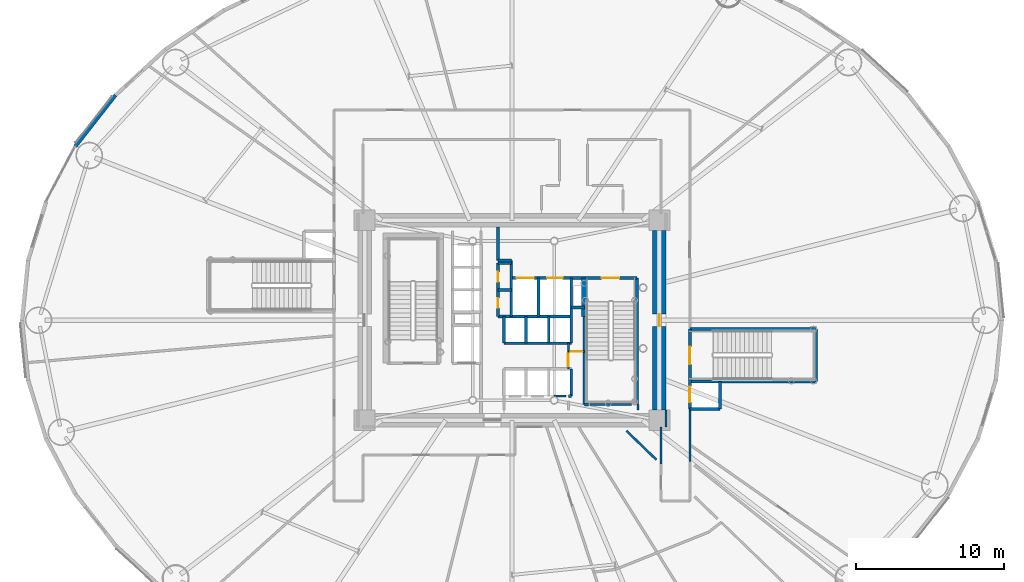
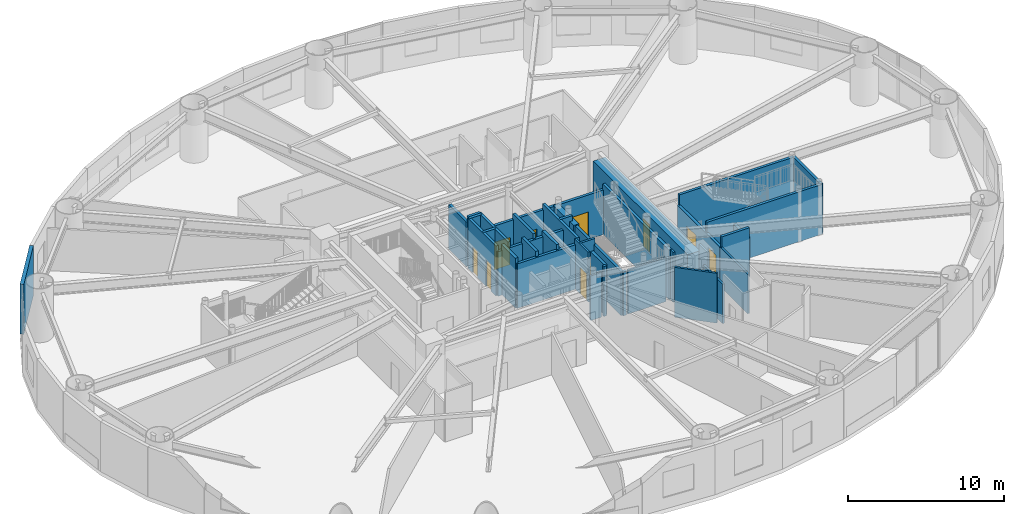
# One storey, part 17 of 30: 38 walls, 10 doors, 10 openings.
"""IFC4 building model written with IfcOpenShell, lengths in metres."""

from ifc_helpers import new_model, si_unit, direction, frame, frame_2d, origin, origin_2d, place, context, subcontext, project, spatial, rectangle, extrude, source, transform, mapped, material, layer, layer_set, type_object, element, fill, save


model = new_model("IFC4")

# Units and contexts
model_context = context("Model", 3, precision=1e-05, world=origin(), true_north=direction((0.0, 1.0)))
body_context = subcontext(model_context, "Body", "Model", "MODEL_VIEW")
ifc_project = project(units=[si_unit("LENGTHUNIT", "METRE"), si_unit("AREAUNIT", "SQUARE_METRE"), si_unit("VOLUMEUNIT", "CUBIC_METRE"), si_unit("PLANEANGLEUNIT", "RADIAN"), si_unit("MASSUNIT", "GRAM", prefix="KILO")], contexts=[model_context])

# Site, building, storey
site_placement = place(None, origin())
site = spatial("IfcSite", under=ifc_project, at=site_placement, CompositionType="ELEMENT")
building_placement = place(site_placement, origin())
building = spatial("IfcBuilding", under=site, at=building_placement, Name="Linh Dai School and Residence Tower", CompositionType="ELEMENT")
storey_placement = place(building_placement, frame((0.0, 0.0, 10.199951171875)))
storey = spatial("IfcBuildingStorey", under=building, at=storey_placement, Name="L02", CompositionType="ELEMENT", Elevation=10.199951171875)

# Wall
ifc_material_1 = material(Name="Precast Concrete B45 (C35/45)", Category="concrete")
ifc_layer_1 = layer(ifc_material_1, 0.25)
ifc_layer_set_1 = layer_set([ifc_layer_1], Name="Precast Concrete B45 (C35/45)")
wall_type_1 = type_object("IfcWallType", Name="EW-TC-250", PredefinedType="SOLIDWALL", material=ifc_layer_set_1)
wall_1_placement = place(storey_placement, frame((6.5234375, 38.735595703125, 0.0), z_axis=(0.0, 0.0, 1.0), x_axis=(0.61622589112, 0.787569457961, 0.0)))
element("IfcWall", 1, at=wall_1_placement, inside=storey, type_object=wall_type_1, Name="L02 Terracotta Exterior Wall 17", PredefinedType="SOLIDWALL", context=body_context, shape_type="SweptSolid", body=[
    extrude(rectangle(XDim=4.395751953125, YDim=0.25, at=frame_2d((2.19775390625, 0.0))), origin(), (0.0, 0.0, 1.0), 3.900146484375),
])

# Wall, opening, door
ifc_material_2 = material(Name="Autoclaved Aerated Concrete Blockwork", Category="masonry")
ifc_layer_2 = layer(ifc_material_2, 0.135009765625)
ifc_layer_set_2 = layer_set([ifc_layer_2], Name="Autoclaved Aerated Concrete Blockwork")
wall_type_2 = type_object("IfcWallType", Name="IW-CORR-135-EI90", PredefinedType="PARTITIONING", material=ifc_layer_set_2)
wall_2_placement = place(storey_placement, frame((39.800048828125, 23.699951171875, 0.0), z_axis=(0.0, 0.0, 1.0), x_axis=(0.0, 1.0, 0.0)))
wall_2 = element("IfcWall", 2, at=wall_2_placement, inside=storey, type_object=wall_type_2, Name="L02 Interior Partition Wall 048", PredefinedType="PARTITIONING", context=body_context, shape_type="SweptSolid", body=[
    extrude(rectangle(XDim=1.75, YDim=0.135009765625, at=frame_2d((0.875, 0.0))), origin(), (0.0, 0.0, 1.0), 3.900146484375),
])
opening_1_placement = place(wall_2_placement, frame((0.2099609375, 0.0, 0.0)))
opening_1 = element("IfcOpeningElement", 3, at=opening_1_placement, cuts=wall_2, Name="Opening D06", PredefinedType="OPENING", context=body_context, shape_type="SweptSolid", body=[
    extrude(rectangle(XDim=0.820068359375, YDim=2.10009765625, at=origin_2d()), frame((0.41015625, 0.07763671875, 1.050048828125), z_axis=(0.0, -1.0, 0.0), x_axis=(1.0, 0.0, 0.0)), (0.0, 0.0, 1.0), 0.155029296875),
])
ifc_material_3 = material(Name="Moisture-Resistant Timber Bathroom Door", Category="wood")
door_type_1 = type_object("IfcDoorType", Name="DR-WET-820x2100", OperationType="NOTDEFINED", PredefinedType="DOOR", material=ifc_material_3)
shared_shape_1 = source(origin(), body_context, "Body", "SweptSolid", [
    extrude(rectangle(XDim=0.820068359375, YDim=2.10009765625, at=origin_2d()), frame((0.41015625, 0.02490234375, 1.050048828125), z_axis=(0.0, -1.0, 0.0), x_axis=(1.0, 0.0, 0.0)), (0.0, 0.0, 1.0), 0.050048828125),
])
door_1_placement = place(opening_1_placement, origin())
door_1 = element("IfcDoor", 4, at=door_1_placement, inside=storey, type_object=door_type_1, Name="L02 SE Metering Closet Door", OperationType="SINGLE_SWING_RIGHT", OverallHeight=2.10009765625, OverallWidth=0.820068359375, PredefinedType="DOOR", context=body_context, shape_type="MappedRepresentation", body=[
    mapped(shared_shape_1, transform((0.0, 0.0, 0.0), x_axis=(1.0, 0.0, 0.0), y_axis=(0.0, 1.0, 0.0), z_axis=(0.0, 0.0, 1.0), scale=1.0)),
])
fill(opening_1, door_1)

# Walls
wall_3_placement = place(storey_placement, frame((48.0, 17.454833984375, 0.0), z_axis=(0.0, 0.0, 1.0), x_axis=(0.0, 1.0, 0.0)))
element("IfcWall", 5, at=wall_3_placement, inside=storey, type_object=wall_type_2, Name="L02 Interior Partition Wall 062", PredefinedType="PARTITIONING", context=body_context, shape_type="SweptSolid", body=[
    extrude(rectangle(XDim=3.545166015625, YDim=0.135009765625, at=frame_2d((1.7724609375, 0.0))), origin(), (0.0, 0.0, 1.0), 3.0849609375),
])
wall_4_placement = place(storey_placement, frame((44.080078125, 21.330078125, 0.0), z_axis=(0.0, 0.0, 1.0), x_axis=(-1.0, 0.0, 0.0)))
element("IfcWall", 6, at=wall_4_placement, inside=storey, type_object=wall_type_2, Name="L02 Interior Partition Wall 073", PredefinedType="PARTITIONING", context=body_context, shape_type="SweptSolid", body=[
    extrude(rectangle(XDim=2.820068359375, YDim=0.135009765625, at=frame_2d((1.41015625, 0.0))), origin(), (0.0, 0.0, 1.0), 3.43505859375),
])
wall_5_placement = place(storey_placement, frame((39.639892578125, 21.89990234375, 0.0), z_axis=(0.0, 0.0, 1.0), x_axis=(-1.0, 0.0, 0.0)))
element("IfcWall", 7, at=wall_5_placement, inside=storey, type_object=wall_type_2, Name="L02 Interior Partition Wall 076", PredefinedType="PARTITIONING", context=body_context, shape_type="SweptSolid", body=[
    extrude(rectangle(XDim=0.7998046875, YDim=0.135009765625, at=frame_2d((0.39990234375, 0.0))), origin(), (0.0, 0.0, 1.0), 3.485107421875),
])
wall_6_placement = place(storey_placement, frame((44.5, 20.9599609375, 0.0), z_axis=(0.0, 0.0, 1.0), x_axis=(0.0, 1.0, 0.0)))
element("IfcWall", 8, at=wall_6_placement, inside=storey, type_object=wall_type_2, Name="L02 Interior Partition Wall 080", PredefinedType="PARTITIONING", context=body_context, shape_type="SweptSolid", body=[
    extrude(rectangle(XDim=0.360107421875, YDim=0.135009765625, at=frame_2d((0.18017578125, 0.0))), origin(), (0.0, 0.0, 1.0), 3.900146484375),
])
wall_7_placement = place(storey_placement, frame((46.050048828125, 17.304931640625, 0.0), z_axis=(0.0, 0.0, 1.0), x_axis=(0.0, 1.0, 0.0)))
element("IfcWall", 9, at=wall_7_placement, inside=storey, type_object=wall_type_2, Name="L02 Interior Partition Wall 084", PredefinedType="PARTITIONING", context=body_context, shape_type="SweptSolid", body=[
    extrude(rectangle(XDim=2.4951171875, YDim=0.135009765625, at=frame_2d((1.24755859375, 0.0))), origin(), (0.0, 0.0, 1.0), 3.0849609375),
])
wall_8_placement = place(storey_placement, frame((46.39990234375, 19.800048828125, 0.0), z_axis=(0.0, 0.0, 1.0), x_axis=(0.0, 1.0, 0.0)))
element("IfcWall", 10, at=wall_8_placement, inside=storey, type_object=wall_type_2, Name="L02 Interior Partition Wall 085", PredefinedType="PARTITIONING", context=body_context, shape_type="SweptSolid", body=[
    extrude(rectangle(XDim=1.139892578125, YDim=0.135009765625, at=frame_2d((0.56982421875, 0.0))), origin(), (0.0, 0.0, 1.0), 3.900146484375),
])

# Wall, opening, door
ifc_layer_3 = layer(ifc_material_2, 0.14990234375)
ifc_layer_set_3 = layer_set([ifc_layer_3], Name="Autoclaved Aerated Concrete Blockwork")
wall_type_3 = type_object("IfcWallType", Name="IW-SCH-150-EI60", PredefinedType="PARTITIONING", material=ifc_layer_set_3)
wall_9_placement = place(storey_placement, frame((39.800048828125, 24.89990234375, 0.0), z_axis=(0.0, 0.0, 1.0), x_axis=(1.0, 0.0, 0.0)))
wall_9 = element("IfcWall", 11, at=wall_9_placement, inside=storey, type_object=wall_type_3, Name="L02 Interior Partition Wall 049", PredefinedType="PARTITIONING", context=body_context, shape_type="SweptSolid", body=[
    extrude(rectangle(XDim=1.099853515625, YDim=0.14990234375, at=frame_2d((0.5498046875, 0.0))), origin(), (0.0, 0.0, 1.0), 3.900146484375),
])
opening_2_placement = place(wall_9_placement, frame((0.169921875, 0.0, 0.0)))
opening_2 = element("IfcOpeningElement", 12, at=opening_2_placement, cuts=wall_9, Name="Opening D08", PredefinedType="OPENING", context=body_context, shape_type="SweptSolid", body=[
    extrude(rectangle(XDim=0.760009765625, YDim=2.10009765625, at=origin_2d()), frame((0.3798828125, 0.0849609375, 1.050048828125), z_axis=(0.0, -1.0, 0.0), x_axis=(1.0, 0.0, 0.0)), (0.0, 0.0, 1.0), 0.169921875),
])
ifc_material_4 = material(Name="Engineered Timber Closet and Study Door", Category="wood")
door_type_2 = type_object("IfcDoorType", Name="DR-CMP-760x2100", OperationType="NOTDEFINED", PredefinedType="DOOR", material=ifc_material_4)
shared_shape_2 = source(origin(), body_context, "Body", "SweptSolid", [
    extrude(rectangle(XDim=0.760009765625, YDim=2.10009765625, at=origin_2d()), frame((0.3798828125, 0.02490234375, 1.050048828125), z_axis=(0.0, -1.0, 0.0), x_axis=(1.0, 0.0, 0.0)), (0.0, 0.0, 1.0), 0.050048828125),
])
door_2_placement = place(opening_2_placement, origin())
door_2 = element("IfcDoor", 13, at=door_2_placement, inside=storey, type_object=door_type_2, Name="L02 NE Cleaners Store Door", OperationType="SINGLE_SWING_LEFT", OverallHeight=2.10009765625, OverallWidth=0.760009765625, PredefinedType="DOOR", context=body_context, shape_type="MappedRepresentation", body=[
    mapped(shared_shape_2, transform((0.0, 0.0, 0.0), x_axis=(1.0, 0.0, 0.0), y_axis=(0.0, 1.0, 0.0), z_axis=(0.0, 0.0, 1.0), scale=1.0)),
])
fill(opening_2, door_2)

# Wall
wall_10_placement = place(storey_placement, frame((43.72509765625, 19.5400390625, 0.0), z_axis=(0.0, 0.0, 1.0), x_axis=(0.719317456081, -0.69468150787, 0.0)))
element("IfcWall", 14, at=wall_10_placement, inside=storey, type_object=wall_type_3, Name="L02 Interior Partition Wall 100", PredefinedType="PARTITIONING", context=body_context, shape_type="SweptSolid", body=[
    extrude(rectangle(XDim=2.804443359375, YDim=0.14990234375, at=frame_2d((1.40234375, 0.0))), origin(), (0.0, 0.0, 1.0), 3.900146484375),
])

# Wall, openings, doors
ifc_material_5 = material(Name="Concrete B45 (C35/45)", Category="concrete")
ifc_layer_4 = layer(ifc_material_5, 0.199951171875)
ifc_layer_set_4 = layer_set([ifc_layer_4], Name="Concrete B45 (C35/45)")
wall_type_4 = type_object("IfcWallType", Name="IW-SHAFT-200-EI120", PredefinedType="PARTITIONING", material=ifc_layer_set_4)
wall_11_placement = place(storey_placement, frame((35.050048828125, 27.25, 0.0), z_axis=(0.0, 0.0, 1.0), x_axis=(0.0, 1.0, 0.0)))
wall_11 = element("IfcWall", 15, at=wall_11_placement, inside=storey, type_object=wall_type_4, Name="L02 Interior Partition Wall 028", PredefinedType="PARTITIONING", context=body_context, shape_type="SweptSolid", body=[
    extrude(rectangle(XDim=3.60009765625, YDim=0.199951171875, at=frame_2d((1.800048828125, 0.0))), origin(), (0.0, 0.0, 1.0), 3.900146484375),
])
opening_3_placement = place(wall_11_placement, frame((0.590087890625, 0.0, 0.0)))
opening_3 = element("IfcOpeningElement", 16, at=opening_3_placement, cuts=wall_11, Name="Opening AD1", PredefinedType="OPENING", context=body_context, shape_type="SweptSolid", body=[
    extrude(rectangle(XDim=0.659912109375, YDim=2.050048828125, at=origin_2d()), frame((0.330078125, 0.10986328125, 1.02490234375), z_axis=(0.0, -1.0, 0.0), x_axis=(1.0, 0.0, 0.0)), (0.0, 0.0, 1.0), 0.219970703125),
])
opening_4_placement = place(wall_11_placement, frame((2.35009765625, 0.0, 0.0)))
opening_4 = element("IfcOpeningElement", 17, at=opening_4_placement, cuts=wall_11, Name="Opening AD1", PredefinedType="OPENING", context=body_context, shape_type="SweptSolid", body=[
    extrude(rectangle(XDim=0.659912109375, YDim=2.050048828125, at=origin_2d()), frame((0.330078125, 0.10986328125, 1.02490234375), z_axis=(0.0, -1.0, 0.0), x_axis=(1.0, 0.0, 0.0)), (0.0, 0.0, 1.0), 0.219970703125),
])
ifc_material_6 = material(Name="Fire-Rated Steel Riser Access Door", Category="steel")
door_type_3 = type_object("IfcDoorType", Name="DR-ACC-660x2050-FD90S", OperationType="NOTDEFINED", PredefinedType="USERDEFINED", material=ifc_material_6)
shared_shape_3 = source(origin(), body_context, "Body", "SweptSolid", [
    extrude(rectangle(XDim=0.659912109375, YDim=2.050048828125, at=origin_2d()), frame((0.330078125, 0.02490234375, 1.02490234375), z_axis=(0.0, -1.0, 0.0), x_axis=(1.0, 0.0, 0.0)), (0.0, 0.0, 1.0), 0.050048828125),
])
door_3_placement = place(opening_3_placement, origin())
door_3 = element("IfcDoor", 18, at=door_3_placement, inside=storey, type_object=door_type_3, Name="L02 Telecom and Data Riser Access Door", ObjectType="ACCESS DOOR", OperationType="SINGLE_SWING_RIGHT", OverallHeight=2.050048828125, OverallWidth=0.659912109375, PredefinedType="USERDEFINED", context=body_context, shape_type="MappedRepresentation", body=[
    mapped(shared_shape_3, transform((0.0, 0.0, 0.0), x_axis=(1.0, 0.0, 0.0), y_axis=(0.0, 1.0, 0.0), z_axis=(0.0, 0.0, 1.0), scale=1.0)),
])
fill(opening_3, door_3)
door_4_placement = place(opening_4_placement, origin())
door_4 = element("IfcDoor", 19, at=door_4_placement, inside=storey, type_object=door_type_3, Name="L02 Mechanical and Plumbing Riser Access Door", ObjectType="ACCESS DOOR", OperationType="SINGLE_SWING_LEFT", OverallHeight=2.050048828125, OverallWidth=0.659912109375, PredefinedType="USERDEFINED", context=body_context, shape_type="MappedRepresentation", body=[
    mapped(shared_shape_3, transform((0.0, 0.0, 0.0), x_axis=(1.0, 0.0, 0.0), y_axis=(0.0, 1.0, 0.0), z_axis=(0.0, 0.0, 1.0), scale=1.0)),
])
fill(opening_4, door_4)

# Walls
wall_12_placement = place(storey_placement, frame((35.050048828125, 27.25, 0.0), z_axis=(0.0, 0.0, 1.0), x_axis=(1.0, 0.0, 0.0)))
element("IfcWall", 20, at=wall_12_placement, inside=storey, type_object=wall_type_4, Name="L02 Interior Partition Wall 029", PredefinedType="PARTITIONING", context=body_context, shape_type="SweptSolid", body=[
    extrude(rectangle(XDim=4.949951171875, YDim=0.199951171875, at=frame_2d((2.47509765625, 0.0))), origin(), (0.0, 0.0, 1.0), 3.485107421875),
])
for number, where, z_axis, x_axis, name in (
    (21, (35.050048828125, 29.050048828125, 0.0), (0.0, 0.0, 1.0), (1.0, 0.0, 0.0), "L02 Interior Partition Wall 030"),
    (22, (35.050048828125, 30.85009765625, 0.0), (0.0, 0.0, 1.0), (1.0, 0.0, 0.0), "L02 Interior Partition Wall 031"),
):
    element("IfcWall", number, at=place(storey_placement, frame(where, z_axis=z_axis, x_axis=x_axis)), inside=storey, type_object=wall_type_4, Name=name, PredefinedType="PARTITIONING", context=body_context, shape_type="SweptSolid", body=[
        extrude(rectangle(XDim=0.89990234375, YDim=0.199951171875, at=frame_2d((0.449951171875, 0.0))), origin(), (0.0, 0.0, 1.0), 3.900146484375),
    ])
wall_13_placement = place(storey_placement, frame((35.050048828125, 31.050048828125, 0.0), z_axis=(0.0, 0.0, 1.0), x_axis=(0.0, 1.0, 0.0)))
element("IfcWall", 23, at=wall_13_placement, inside=storey, type_object=wall_type_4, Name="L02 Interior Partition Wall 032", PredefinedType="PARTITIONING", context=body_context, shape_type="SweptSolid", body=[
    extrude(rectangle(XDim=2.25, YDim=0.199951171875, at=frame_2d((1.125, 0.0))), origin(), (0.0, 0.0, 1.0), 3.485107421875),
])
wall_14_placement = place(storey_placement, frame((35.050048828125, 31.050048828125, 0.0), z_axis=(0.0, 0.0, 1.0), x_axis=(1.0, 0.0, 0.0)))
element("IfcWall", 24, at=wall_14_placement, inside=storey, type_object=wall_type_4, Name="L02 Interior Partition Wall 033", PredefinedType="PARTITIONING", context=body_context, shape_type="SweptSolid", body=[
    extrude(rectangle(XDim=0.89990234375, YDim=0.199951171875, at=frame_2d((0.449951171875, 0.0))), origin(), (0.0, 0.0, 1.0), 3.900146484375),
])
wall_15_placement = place(storey_placement, frame((35.449951171875, 25.449951171875, 0.0), z_axis=(0.0, 0.0, 1.0), x_axis=(0.0, 1.0, 0.0)))
element("IfcWall", 25, at=wall_15_placement, inside=storey, type_object=wall_type_4, Name="L02 Interior Partition Wall 036", PredefinedType="PARTITIONING", context=body_context, shape_type="SweptSolid", body=[
    extrude(rectangle(XDim=1.800048828125, YDim=0.199951171875, at=frame_2d((0.89990234375, 0.0))), origin(), (0.0, 0.0, 1.0), 3.900146484375),
])
wall_16_placement = place(storey_placement, frame((35.449951171875, 25.449951171875, 0.0), z_axis=(0.0, 0.0, 1.0), x_axis=(1.0, 0.0, 0.0)))
element("IfcWall", 26, at=wall_16_placement, inside=storey, type_object=wall_type_4, Name="L02 Interior Partition Wall 037", PredefinedType="PARTITIONING", context=body_context, shape_type="SweptSolid", body=[
    extrude(rectangle(XDim=4.550048828125, YDim=0.199951171875, at=frame_2d((2.27490234375, 0.0))), origin(), (0.0, 0.0, 1.0), 3.485107421875),
])
wall_17_placement = place(storey_placement, frame((35.949951171875, 27.25, 0.0), z_axis=(0.0, 0.0, 1.0), x_axis=(0.0, 1.0, 0.0)))
element("IfcWall", 27, at=wall_17_placement, inside=storey, type_object=wall_type_4, Name="L02 Interior Partition Wall 038", PredefinedType="PARTITIONING", context=body_context, shape_type="SweptSolid", body=[
    extrude(rectangle(XDim=3.800048828125, YDim=0.199951171875, at=frame_2d((1.89990234375, 0.0))), origin(), (0.0, 0.0, 1.0), 3.900146484375),
])

# Wall, openings, doors
wall_18_placement = place(storey_placement, frame((35.949951171875, 29.85009765625, 0.0), z_axis=(0.0, 0.0, 1.0), x_axis=(1.0, 0.0, 0.0)))
wall_18 = element("IfcWall", 28, at=wall_18_placement, inside=storey, type_object=wall_type_4, Name="L02 Interior Partition Wall 039", PredefinedType="PARTITIONING", context=body_context, shape_type="SweptSolid", body=[
    extrude(rectangle(XDim=8.489990234375, YDim=0.199951171875, at=frame_2d((4.2451171875, 0.0))), origin(), (0.0, 0.0, 1.0), 3.485107421875),
])
opening_5_placement = place(wall_18_placement, frame((6.10009765625, 0.0, 0.0)))
opening_5 = element("IfcOpeningElement", 29, at=opening_5_placement, cuts=wall_18, Name="Opening D01", PredefinedType="OPENING", context=body_context, shape_type="SweptSolid", body=[
    extrude(rectangle(XDim=1.199951171875, YDim=2.14990234375, at=origin_2d()), frame((0.60009765625, 0.10986328125, 1.074951171875), z_axis=(0.0, -1.0, 0.0), x_axis=(1.0, 0.0, 0.0)), (0.0, 0.0, 1.0), 0.219970703125),
])
opening_6_placement = place(wall_18_placement, frame((0.3701171875, 0.0, 0.0)))
opening_6 = element("IfcOpeningElement", 30, at=opening_6_placement, cuts=wall_18, Name="Opening LD-FF1", PredefinedType="OPENING", context=body_context, shape_type="SweptSolid", body=[
    extrude(rectangle(XDim=1.14990234375, YDim=2.14990234375, at=origin_2d()), frame((0.574951171875, 0.10986328125, 1.074951171875), z_axis=(0.0, -1.0, 0.0), x_axis=(1.0, 0.0, 0.0)), (0.0, 0.0, 1.0), 0.219970703125),
])
opening_7_placement = place(wall_18_placement, frame((2.425048828125, 0.0, 0.0)))
opening_7 = element("IfcOpeningElement", 31, at=opening_7_placement, cuts=wall_18, Name="Opening LD-SV1", PredefinedType="OPENING", context=body_context, shape_type="SweptSolid", body=[
    extrude(rectangle(XDim=1.050048828125, YDim=2.14990234375, at=origin_2d()), frame((0.52490234375, 0.10986328125, 1.074951171875), z_axis=(0.0, -1.0, 0.0), x_axis=(1.0, 0.0, 0.0)), (0.0, 0.0, 1.0), 0.219970703125),
])
ifc_material_7 = material(Name="Fire-Rated Steel Door Leaf", Category="steel")
door_type_4 = type_object("IfcDoorType", Name="DR-STAIR-1200x2150-FD90S", OperationType="NOTDEFINED", PredefinedType="DOOR", material=ifc_material_7)
shared_shape_4 = source(origin(), body_context, "Body", "SweptSolid", [
    extrude(rectangle(XDim=1.199951171875, YDim=2.14990234375, at=origin_2d()), frame((0.60009765625, 0.02490234375, 1.074951171875), z_axis=(0.0, -1.0, 0.0), x_axis=(1.0, 0.0, 0.0)), (0.0, 0.0, 1.0), 0.050048828125),
])
door_5_placement = place(opening_5_placement, origin())
door_5 = element("IfcDoor", 32, at=door_5_placement, inside=storey, type_object=door_type_4, Name="L02 Core Smokeproof Exit Stair ST2 Door", OperationType="SINGLE_SWING_LEFT", OverallHeight=2.14990234375, OverallWidth=1.199951171875, PredefinedType="DOOR", context=body_context, shape_type="MappedRepresentation", body=[
    mapped(shared_shape_4, transform((0.0, 0.0, 0.0), x_axis=(1.0, 0.0, 0.0), y_axis=(0.0, 1.0, 0.0), z_axis=(0.0, 0.0, 1.0), scale=1.0)),
])
fill(opening_5, door_5)
ifc_material_8 = material(Name="Fire-Rated Stainless Steel Firefighting Lift Door", Category="steel")
door_type_5 = type_object("IfcDoorType", Name="DR-LD-FF-1150x2150-FD120", OperationType="DOUBLE_DOOR_SLIDING", PredefinedType="USERDEFINED", material=ifc_material_8)
shared_shape_5 = source(origin(), body_context, "Body", "SweptSolid", [
    extrude(rectangle(XDim=1.14990234375, YDim=2.14990234375, at=origin_2d()), frame((0.574951171875, 0.02490234375, 1.074951171875), z_axis=(0.0, -1.0, 0.0), x_axis=(1.0, 0.0, 0.0)), (0.0, 0.0, 1.0), 0.050048828125),
])
door_6_placement = place(opening_6_placement, origin())
door_6 = element("IfcDoor", 33, at=door_6_placement, inside=storey, type_object=door_type_5, Name="L02 Lift FF1 Sliding Landing Door", ObjectType="LANDING DOOR", OperationType="DOUBLE_DOOR_SLIDING", OverallHeight=2.14990234375, OverallWidth=1.14990234375, PredefinedType="USERDEFINED", context=body_context, shape_type="MappedRepresentation", body=[
    mapped(shared_shape_5, transform((0.0, 0.0, 0.0), x_axis=(1.0, 0.0, 0.0), y_axis=(0.0, 1.0, 0.0), z_axis=(0.0, 0.0, 1.0), scale=1.0)),
])
fill(opening_6, door_6)
ifc_material_9 = material(Name="Brushed Stainless Steel Lift Landing Door", Category="steel")
door_type_6 = type_object("IfcDoorType", Name="DR-LD-PASS-1050x2150", OperationType="DOUBLE_DOOR_SLIDING", PredefinedType="USERDEFINED", material=ifc_material_9)
shared_shape_6 = source(origin(), body_context, "Body", "SweptSolid", [
    extrude(rectangle(XDim=1.050048828125, YDim=2.14990234375, at=origin_2d()), frame((0.52490234375, 0.02490234375, 1.074951171875), z_axis=(0.0, -1.0, 0.0), x_axis=(1.0, 0.0, 0.0)), (0.0, 0.0, 1.0), 0.050048828125),
])
door_7_placement = place(opening_7_placement, origin())
door_7 = element("IfcDoor", 34, at=door_7_placement, inside=storey, type_object=door_type_6, Name="L02 Lift SV1 Sliding Landing Door", ObjectType="LANDING DOOR", OperationType="DOUBLE_DOOR_SLIDING", OverallHeight=2.14990234375, OverallWidth=1.050048828125, PredefinedType="USERDEFINED", context=body_context, shape_type="MappedRepresentation", body=[
    mapped(shared_shape_6, transform((0.0, 0.0, 0.0), x_axis=(1.0, 0.0, 0.0), y_axis=(0.0, 1.0, 0.0), z_axis=(0.0, 0.0, 1.0), scale=1.0)),
])
fill(opening_7, door_7)

# Walls
wall_19_placement = place(storey_placement, frame((36.9599609375, 25.449951171875, 0.0), z_axis=(0.0, 0.0, 1.0), x_axis=(0.0, 1.0, 0.0)))
element("IfcWall", 35, at=wall_19_placement, inside=storey, type_object=wall_type_4, Name="L02 Interior Partition Wall 042", PredefinedType="PARTITIONING", context=body_context, shape_type="SweptSolid", body=[
    extrude(rectangle(XDim=1.800048828125, YDim=0.199951171875, at=frame_2d((0.89990234375, 0.0))), origin(), (0.0, 0.0, 1.0), 3.900146484375),
])
wall_20_placement = place(storey_placement, frame((37.800048828125, 27.25, 0.0), z_axis=(0.0, 0.0, 1.0), x_axis=(0.0, 1.0, 0.0)))
element("IfcWall", 36, at=wall_20_placement, inside=storey, type_object=wall_type_4, Name="L02 Interior Partition Wall 043", PredefinedType="PARTITIONING", context=body_context, shape_type="SweptSolid", body=[
    extrude(rectangle(XDim=2.60009765625, YDim=0.199951171875, at=frame_2d((1.300048828125, 0.0))), origin(), (0.0, 0.0, 1.0), 3.900146484375),
])
wall_21_placement = place(storey_placement, frame((38.47998046875, 25.449951171875, 0.0), z_axis=(0.0, 0.0, 1.0), x_axis=(0.0, 1.0, 0.0)))
element("IfcWall", 37, at=wall_21_placement, inside=storey, type_object=wall_type_4, Name="L02 Interior Partition Wall 046", PredefinedType="PARTITIONING", context=body_context, shape_type="SweptSolid", body=[
    extrude(rectangle(XDim=1.800048828125, YDim=0.199951171875, at=frame_2d((0.89990234375, 0.0))), origin(), (0.0, 0.0, 1.0), 3.900146484375),
])
wall_22_placement = place(storey_placement, frame((39.800048828125, 21.89990234375, 0.0), z_axis=(0.0, 0.0, 1.0), x_axis=(1.0, 0.0, 0.0)))
element("IfcWall", 38, at=wall_22_placement, inside=storey, type_object=wall_type_4, Name="L02 Interior Partition Wall 047", PredefinedType="PARTITIONING", context=body_context, shape_type="SweptSolid", body=[
    extrude(rectangle(XDim=0.199951171875, YDim=0.199951171875, at=frame_2d((0.10009765625, 0.0))), origin(), (0.0, 0.0, 1.0), 3.900146484375),
])
wall_23_placement = place(storey_placement, frame((40.0, 21.89990234375, 0.0), z_axis=(0.0, 0.0, 1.0), x_axis=(0.0, 1.0, 0.0)))
element("IfcWall", 39, at=wall_23_placement, inside=storey, type_object=wall_type_4, Name="L02 Interior Partition Wall 050", PredefinedType="PARTITIONING", context=body_context, shape_type="SweptSolid", body=[
    extrude(rectangle(XDim=1.800048828125, YDim=0.199951171875, at=frame_2d((0.89990234375, 0.0))), origin(), (0.0, 0.0, 1.0), 3.900146484375),
])
wall_24_placement = place(storey_placement, frame((40.0, 25.449951171875, 0.0), z_axis=(0.0, 0.0, 1.0), x_axis=(0.0, 1.0, 0.0)))
element("IfcWall", 40, at=wall_24_placement, inside=storey, type_object=wall_type_4, Name="L02 Interior Partition Wall 051", PredefinedType="PARTITIONING", context=body_context, shape_type="SweptSolid", body=[
    extrude(rectangle(XDim=4.400146484375, YDim=0.199951171875, at=frame_2d((2.2001953125, 0.0))), origin(), (0.0, 0.0, 1.0), 3.900146484375),
])
wall_25_placement = place(storey_placement, frame((40.0, 27.85009765625, 0.0), z_axis=(0.0, 0.0, 1.0), x_axis=(1.0, 0.0, 0.0)))
element("IfcWall", 41, at=wall_25_placement, inside=storey, type_object=wall_type_4, Name="L02 Interior Partition Wall 052", PredefinedType="PARTITIONING", context=body_context, shape_type="SweptSolid", body=[
    extrude(rectangle(XDim=0.89990234375, YDim=0.199951171875, at=frame_2d((0.449951171875, 0.0))), origin(), (0.0, 0.0, 1.0), 3.900146484375),
])
wall_26_placement = place(storey_placement, frame((40.89990234375, 21.330078125, 0.0), z_axis=(0.0, 0.0, 1.0), x_axis=(0.0, 1.0, 0.0)))
element("IfcWall", 42, at=wall_26_placement, inside=storey, type_object=wall_type_4, Name="L02 Interior Partition Wall 054", PredefinedType="PARTITIONING", context=body_context, shape_type="SweptSolid", body=[
    extrude(rectangle(XDim=5.909912109375, YDim=0.199951171875, at=frame_2d((2.955078125, 0.0))), origin(), (0.0, 0.0, 1.0), 3.43505859375),
])
wall_27_placement = place(storey_placement, frame((40.89990234375, 21.330078125, 0.0), z_axis=(0.0, 0.0, 1.0), x_axis=(1.0, 0.0, 0.0)))
element("IfcWall", 43, at=wall_27_placement, inside=storey, type_object=wall_type_4, Name="L02 Interior Partition Wall 055", PredefinedType="PARTITIONING", context=body_context, shape_type="SweptSolid", body=[
    extrude(rectangle(XDim=0.25, YDim=0.199951171875, at=frame_2d((0.125, 0.0))), origin(), (0.0, 0.0, 1.0), 3.43505859375),
])
wall_28_placement = place(storey_placement, frame((44.43994140625, 21.330078125, 0.0), z_axis=(0.0, 0.0, 1.0), x_axis=(0.0, 1.0, 0.0)))
element("IfcWall", 44, at=wall_28_placement, inside=storey, type_object=wall_type_4, Name="L02 Interior Partition Wall 058", PredefinedType="PARTITIONING", context=body_context, shape_type="SweptSolid", body=[
    extrude(rectangle(XDim=8.52001953125, YDim=0.199951171875, at=frame_2d((4.260009765625, 0.0))), origin(), (0.0, 0.0, 1.0), 3.900146484375),
])

# Wall, openings, doors
wall_29_placement = place(storey_placement, frame((48.0, 21.010009765625, 0.0), z_axis=(0.0, 0.0, 1.0), x_axis=(0.0, 1.0, 0.0)))
wall_29 = element("IfcWall", 45, at=wall_29_placement, inside=storey, type_object=wall_type_4, Name="L02 Interior Partition Wall 064", PredefinedType="PARTITIONING", context=body_context, shape_type="SweptSolid", body=[
    extrude(rectangle(XDim=5.409912109375, YDim=0.199951171875, at=frame_2d((2.705078125, 0.0))), origin(), (0.0, 0.0, 1.0), 3.0849609375),
])
opening_8_placement = place(wall_29_placement, frame((3.02001953125, 0.0, 0.0)))
opening_8 = element("IfcOpeningElement", 46, at=opening_8_placement, cuts=wall_29, Name="Opening D01", PredefinedType="OPENING", context=body_context, shape_type="SweptSolid", body=[
    extrude(rectangle(XDim=1.199951171875, YDim=2.14990234375, at=origin_2d()), frame((0.60009765625, 0.10986328125, 1.074951171875), z_axis=(0.0, -1.0, 0.0), x_axis=(1.0, 0.0, 0.0)), (0.0, 0.0, 1.0), 0.219970703125),
])
opening_9_placement = place(wall_29_placement, frame((0.465087890625, 0.0, 0.0)))
opening_9 = element("IfcOpeningElement", 47, at=opening_9_placement, cuts=wall_29, Name="Opening LD-SL2", PredefinedType="OPENING", context=body_context, shape_type="SweptSolid", body=[
    extrude(rectangle(XDim=1.050048828125, YDim=2.14990234375, at=origin_2d()), frame((0.52490234375, 0.10986328125, 1.074951171875), z_axis=(0.0, -1.0, 0.0), x_axis=(1.0, 0.0, 0.0)), (0.0, 0.0, 1.0), 0.219970703125),
])
door_8_placement = place(opening_8_placement, origin())
door_8 = element("IfcDoor", 48, at=door_8_placement, inside=storey, type_object=door_type_4, Name="L02 Exit Stair STS2 Door", OperationType="SINGLE_SWING_LEFT", OverallHeight=2.14990234375, OverallWidth=1.199951171875, PredefinedType="DOOR", context=body_context, shape_type="MappedRepresentation", body=[
    mapped(shared_shape_4, transform((0.0, 0.0, 0.0), x_axis=(1.0, 0.0, 0.0), y_axis=(0.0, 1.0, 0.0), z_axis=(0.0, 0.0, 1.0), scale=1.0)),
])
fill(opening_8, door_8)
door_9_placement = place(opening_9_placement, origin())
door_9 = element("IfcDoor", 49, at=door_9_placement, inside=storey, type_object=door_type_6, Name="L02 Lift SL2 Sliding Landing Door", ObjectType="LANDING DOOR", OperationType="DOUBLE_DOOR_SLIDING", OverallHeight=2.14990234375, OverallWidth=1.050048828125, PredefinedType="USERDEFINED", context=body_context, shape_type="MappedRepresentation", body=[
    mapped(shared_shape_6, transform((0.0, 0.0, 0.0), x_axis=(1.0, 0.0, 0.0), y_axis=(0.0, 1.0, 0.0), z_axis=(0.0, 0.0, 1.0), scale=1.0)),
])
fill(opening_9, door_9)

# Walls
wall_30_placement = place(storey_placement, frame((48.0, 21.0, 0.0), z_axis=(0.0, 0.0, 1.0), x_axis=(1.0, 0.0, 0.0)))
element("IfcWall", 50, at=wall_30_placement, inside=storey, type_object=wall_type_4, Name="L02 Interior Partition Wall 065", PredefinedType="PARTITIONING", context=body_context, shape_type="SweptSolid", body=[
    extrude(rectangle(XDim=2.050048828125, YDim=0.199951171875, at=frame_2d((1.02490234375, 0.0))), origin(), (0.0, 0.0, 1.0), 3.900146484375),
])
for number, where, z_axis, x_axis, name in (
    (51, (48.0, 22.8798828125, 0.0), (0.0, 0.0, 1.0), (1.0, 0.0, 0.0), "L02 Interior Partition Wall 066"),
    (52, (48.0, 26.419921875, 0.0), (0.0, 0.0, 1.0), (1.0, 0.0, 0.0), "L02 Interior Partition Wall 068"),
):
    element("IfcWall", number, at=place(storey_placement, frame(where, z_axis=z_axis, x_axis=x_axis)), inside=storey, type_object=wall_type_4, Name=name, PredefinedType="PARTITIONING", context=body_context, shape_type="SweptSolid", body=[
        extrude(rectangle(XDim=8.52001953125, YDim=0.199951171875, at=frame_2d((4.260009765625, 0.0))), origin(), (0.0, 0.0, 1.0), 3.900146484375),
    ])
wall_31_placement = place(storey_placement, frame((50.050048828125, 21.0, 0.0), z_axis=(0.0, 0.0, 1.0), x_axis=(0.0, 1.0, 0.0)))
element("IfcWall", 53, at=wall_31_placement, inside=storey, type_object=wall_type_4, Name="L02 Interior Partition Wall 071", PredefinedType="PARTITIONING", context=body_context, shape_type="SweptSolid", body=[
    extrude(rectangle(XDim=1.8798828125, YDim=0.199951171875, at=frame_2d((0.93994140625, 0.0))), origin(), (0.0, 0.0, 1.0), 3.0849609375),
])
wall_32_placement = place(storey_placement, frame((56.52001953125, 22.8798828125, 0.0), z_axis=(0.0, 0.0, 1.0), x_axis=(0.0, 1.0, 0.0)))
element("IfcWall", 54, at=wall_32_placement, inside=storey, type_object=wall_type_4, Name="L02 Interior Partition Wall 072", PredefinedType="PARTITIONING", context=body_context, shape_type="SweptSolid", body=[
    extrude(rectangle(XDim=3.5400390625, YDim=0.199951171875, at=frame_2d((1.77001953125, 0.0))), origin(), (0.0, 0.0, 1.0), 3.900146484375),
])
ifc_layer_5 = layer(ifc_material_5, 0.39990234375)
ifc_layer_set_5 = layer_set([ifc_layer_5], Name="Concrete B45 (C35/45)")
wall_type_5 = type_object("IfcWallType", Name="WL-CORE400", PredefinedType="SHEAR", material=ifc_layer_set_5)
wall_33_placement = place(storey_placement, frame((40.89990234375, 27.25, 0.0), z_axis=(0.0, 0.0, 1.0), x_axis=(0.0, 1.0, 0.0)))
element("IfcWall", 55, at=wall_33_placement, inside=storey, type_object=wall_type_5, Name="L02 Internal Core Shear Wall IE", PredefinedType="SHEAR", context=body_context, shape_type="SweptSolid", body=[
    extrude(rectangle(XDim=2.60009765625, YDim=0.39990234375, at=frame_2d((1.300048828125, 0.0))), origin(), (0.0, 0.0, 1.0), 3.5),
])

# Wall, opening, door
ifc_material_10 = material(Name="Concrete B60 (C50/60)", Category="concrete")
ifc_layer_6 = layer(ifc_material_10, 0.89990234375)
ifc_layer_set_6 = layer_set([ifc_layer_6], Name="Concrete B60 (C50/60)")
wall_type_6 = type_object("IfcWallType", Name="WL-CORE900", PredefinedType="SHEAR", material=ifc_layer_set_6)
wall_34_placement = place(storey_placement, frame((45.949951171875, 33.050048828125, 0.0), z_axis=(0.0, 0.0, 1.0), x_axis=(0.0, -1.0, 0.0)))
wall_34 = element("IfcWall", 56, at=wall_34_placement, inside=storey, type_object=wall_type_6, Name="L02 Central Core Shear Wall E", PredefinedType="SHEAR", context=body_context, shape_type="SweptSolid", body=[
    extrude(rectangle(XDim=12.10009765625, YDim=0.89990234375, at=frame_2d((6.050048828125, 0.0))), origin(), (0.0, 0.0, 1.0), 3.35009765625),
])
opening_10_placement = place(wall_34_placement, frame((5.639892578125, 0.0, 0.0)))
opening_10 = element("IfcOpeningElement", 57, at=opening_10_placement, cuts=wall_34, Name="Opening D06", PredefinedType="OPENING", context=body_context, shape_type="SweptSolid", body=[
    extrude(rectangle(XDim=0.820068359375, YDim=2.10009765625, at=origin_2d()), frame((0.41015625, 0.4599609375, 1.050048828125), z_axis=(0.0, -1.0, 0.0), x_axis=(1.0, 0.0, 0.0)), (0.0, 0.0, 1.0), 0.919921875),
])
door_10_placement = place(opening_10_placement, origin())
door_10 = element("IfcDoor", 58, at=door_10_placement, inside=storey, type_object=door_type_1, Name="L02 Firefighting Lobby Door", OperationType="SINGLE_SWING_RIGHT", OverallHeight=2.10009765625, OverallWidth=0.820068359375, PredefinedType="DOOR", context=body_context, shape_type="MappedRepresentation", body=[
    mapped(shared_shape_1, transform((0.0, 0.0, 0.0), x_axis=(1.0, 0.0, 0.0), y_axis=(0.0, 1.0, 0.0), z_axis=(0.0, 0.0, 1.0), scale=1.0)),
])
fill(opening_10, door_10)

save(model, "model.ifc")
